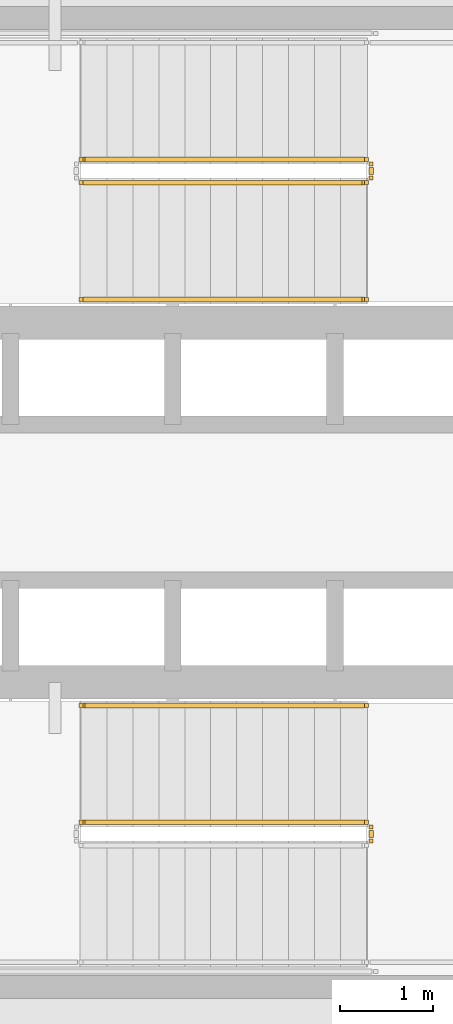
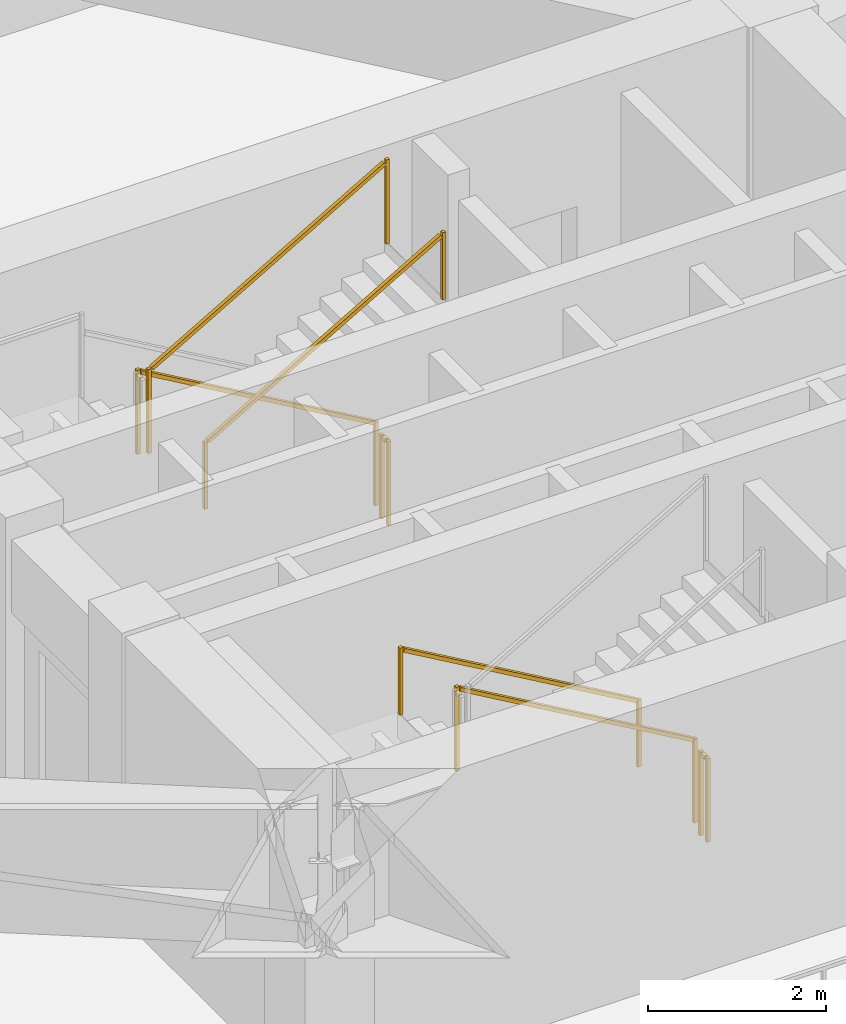
# One storey, part 11 of 16: 7 railings.
"""IFC4 building model written with IfcOpenShell, lengths in metres."""

from ifc_helpers import new_model, si_unit, direction, frame, origin, origin_2d, place, context, subcontext, project, spatial, rectangle, extrude, material, type_object, element, save


model = new_model("IFC4")

# Units and contexts
model_context = context("Model", 3, precision=1e-05, world=origin(), true_north=direction((0.0, 1.0)))
body_context = subcontext(model_context, "Body", "Model", "MODEL_VIEW")
ifc_project = project(units=[si_unit("LENGTHUNIT", "METRE"), si_unit("AREAUNIT", "SQUARE_METRE"), si_unit("VOLUMEUNIT", "CUBIC_METRE"), si_unit("PLANEANGLEUNIT", "RADIAN"), si_unit("MASSUNIT", "GRAM", prefix="KILO")], contexts=[model_context])

# Site, building, storey
site_placement = place(None, origin())
site = spatial("IfcSite", under=ifc_project, at=site_placement, CompositionType="ELEMENT")
building_placement = place(site_placement, origin())
building = spatial("IfcBuilding", under=site, at=building_placement, Name="Yunling Apex Tower", CompositionType="ELEMENT")
storey_placement = place(building_placement, frame((0.0, 0.0, 16.199951171875)))
storey = spatial("IfcBuildingStorey", under=building, at=storey_placement, Name="L05", CompositionType="ELEMENT", Elevation=16.199951171875)

# Railings
ifc_material_1 = material(Name="Steel Q355B", Category="steel")
railing_type_1 = type_object("IfcRailingType", Name="RL-GRD-1150", PredefinedType="GUARDRAIL", material=ifc_material_1)
railing_1_placement = place(storey_placement, frame((-0.010009765625, 3.699951171875, 0.16259765625)))
element("IfcRailing", 1, at=railing_1_placement, inside=storey, type_object=railing_type_1, Name="L05 ST-1 stair guard 1", PredefinedType="GUARDRAIL", context=body_context, shape_type="SweptSolid", body=[
    extrude(rectangle(XDim=0.0439453125, YDim=0.0439453125, at=origin_2d()), origin(), (0.0, 0.0, 1.0), 1.14990234375),
    extrude(rectangle(XDim=0.0439453125, YDim=0.0439453125, at=origin_2d()), frame((-3.080078125, 0.0, 1.787353515625)), (0.0, 0.0, 1.0), 1.14990234375),
    extrude(rectangle(XDim=0.050048828125, YDim=0.050048828125, at=origin_2d()), frame((-0.033203125, 0.0, 1.14404296875), z_axis=(-0.864920483161, 0.0, 0.501908913857), x_axis=(0.0, -1.0, 0.0)), (0.0, 0.0, 1.0), 3.484375),
])
railing_2_placement = place(storey_placement, frame((-3.090087890625, 3.449951171875, 2.112548828125)))
element("IfcRailing", 2, at=railing_2_placement, inside=storey, type_object=railing_type_1, Name="L05 ST-1 stair guard 4", PredefinedType="GUARDRAIL", context=body_context, shape_type="SweptSolid", body=[
    extrude(rectangle(XDim=0.0439453125, YDim=0.0439453125, at=origin_2d()), origin(), (0.0, 0.0, 1.0), 1.14990234375),
    extrude(rectangle(XDim=0.0439453125, YDim=0.0439453125, at=origin_2d()), frame((3.080078125, 0.0, 1.78759765625)), (0.0, 0.0, 1.0), 1.14990234375),
    extrude(rectangle(XDim=0.050048828125, YDim=0.050048828125, at=origin_2d()), frame((0.033203125, 0.0, 1.14404296875), z_axis=(0.864890721111, 0.0, 0.501960198159), x_axis=(0.0, 1.0, 0.0)), (0.0, 0.0, 1.0), 3.484619140625),
])
railing_3_placement = place(storey_placement, frame((0.0400390625, 3.64990234375, 0.0)))
element("IfcRailing", 3, at=railing_3_placement, inside=storey, type_object=railing_type_1, Name="L05 ST-1 stair guard 5", PredefinedType="GUARDRAIL", context=body_context, shape_type="SweptSolid", body=[
    extrude(rectangle(XDim=0.0439453125, YDim=0.0439453125, at=origin_2d()), origin(), (0.0, 0.0, 1.0), 1.14990234375),
    extrude(rectangle(XDim=0.0439453125, YDim=0.0439453125, at=origin_2d()), frame((0.0, -0.14990234375, 0.0)), (0.0, 0.0, 1.0), 1.14990234375),
    extrude(rectangle(XDim=0.050048828125, YDim=0.050048828125, at=origin_2d()), frame((0.0, -0.038330078125, 1.125), z_axis=(0.0, -1.0, 0.0), x_axis=(1.0, 0.0, 0.0)), (0.0, 0.0, 1.0), 0.0732421875),
])
railing_4_placement = place(storey_placement, frame((-0.010009765625, -3.449951171875, 0.16259765625)))
element("IfcRailing", 4, at=railing_4_placement, inside=storey, type_object=railing_type_1, Name="L05 ST-2 stair guard 1", PredefinedType="GUARDRAIL", context=body_context, shape_type="SweptSolid", body=[
    extrude(rectangle(XDim=0.0439453125, YDim=0.0439453125, at=origin_2d()), origin(), (0.0, 0.0, 1.0), 1.14990234375),
    extrude(rectangle(XDim=0.0439453125, YDim=0.0439453125, at=origin_2d()), frame((-3.080078125, 0.0, 1.787353515625)), (0.0, 0.0, 1.0), 1.14990234375),
    extrude(rectangle(XDim=0.050048828125, YDim=0.050048828125, at=origin_2d()), frame((-0.033203125, 0.0, 1.14404296875), z_axis=(-0.864920483161, 0.0, 0.501908913857), x_axis=(0.0, -1.0, 0.0)), (0.0, 0.0, 1.0), 3.484375),
])
railing_5_placement = place(storey_placement, frame((0.0400390625, -3.5, 0.0)))
element("IfcRailing", 5, at=railing_5_placement, inside=storey, type_object=railing_type_1, Name="L05 ST-2 stair guard 5", PredefinedType="GUARDRAIL", context=body_context, shape_type="SweptSolid", body=[
    extrude(rectangle(XDim=0.0439453125, YDim=0.0439453125, at=origin_2d()), origin(), (0.0, 0.0, 1.0), 1.14990234375),
    extrude(rectangle(XDim=0.0439453125, YDim=0.0439453125, at=origin_2d()), frame((0.0, -0.14990234375, 0.0)), (0.0, 0.0, 1.0), 1.14990234375),
    extrude(rectangle(XDim=0.050048828125, YDim=0.050048828125, at=origin_2d()), frame((0.0, -0.038330078125, 1.125), z_axis=(0.0, -1.0, 0.0), x_axis=(1.0, 0.0, 0.0)), (0.0, 0.0, 1.0), 0.0732421875),
])
ifc_material_2 = material(Name="Silver anodised aluminium", Category="aluminium")
railing_type_2 = type_object("IfcRailingType", Name="RL-HND-900", PredefinedType="HANDRAIL", material=ifc_material_2)
railing_6_placement = place(storey_placement, frame((-3.090087890625, 2.18994140625, 2.112548828125)))
element("IfcRailing", 6, at=railing_6_placement, inside=storey, type_object=railing_type_2, Name="L05 ST-1 stair handrail 2", PredefinedType="HANDRAIL", context=body_context, shape_type="SweptSolid", body=[
    extrude(rectangle(XDim=0.0439453125, YDim=0.0439453125, at=origin_2d()), origin(), (0.0, 0.0, 1.0), 0.919921875),
    extrude(rectangle(XDim=0.0439453125, YDim=0.0439453125, at=origin_2d()), frame((3.080078125, 0.0, 1.78759765625)), (0.0, 0.0, 1.0), 0.919921875),
    extrude(rectangle(XDim=0.050048828125, YDim=0.050048828125, at=origin_2d()), frame((0.033203125, 0.0, 0.9140625), z_axis=(0.864890721111, 0.0, 0.501960198159), x_axis=(0.0, 1.0, 0.0)), (0.0, 0.0, 1.0), 3.484619140625),
])
railing_7_placement = place(storey_placement, frame((-0.010009765625, -2.18994140625, 0.16259765625)))
element("IfcRailing", 7, at=railing_7_placement, inside=storey, type_object=railing_type_2, Name="L05 ST-2 stair handrail 1", PredefinedType="HANDRAIL", context=body_context, shape_type="SweptSolid", body=[
    extrude(rectangle(XDim=0.0439453125, YDim=0.0439453125, at=origin_2d()), origin(), (0.0, 0.0, 1.0), 0.919921875),
    extrude(rectangle(XDim=0.0439453125, YDim=0.0439453125, at=origin_2d()), frame((-3.080078125, 0.0, 1.787353515625)), (0.0, 0.0, 1.0), 0.919921875),
    extrude(rectangle(XDim=0.050048828125, YDim=0.050048828125, at=origin_2d()), frame((-0.033203125, 0.0, 0.9140625), z_axis=(-0.864920483161, 0.0, 0.501908913857), x_axis=(0.0, -1.0, 0.0)), (0.0, 0.0, 1.0), 3.484375),
])

save(model, "model.ifc")
